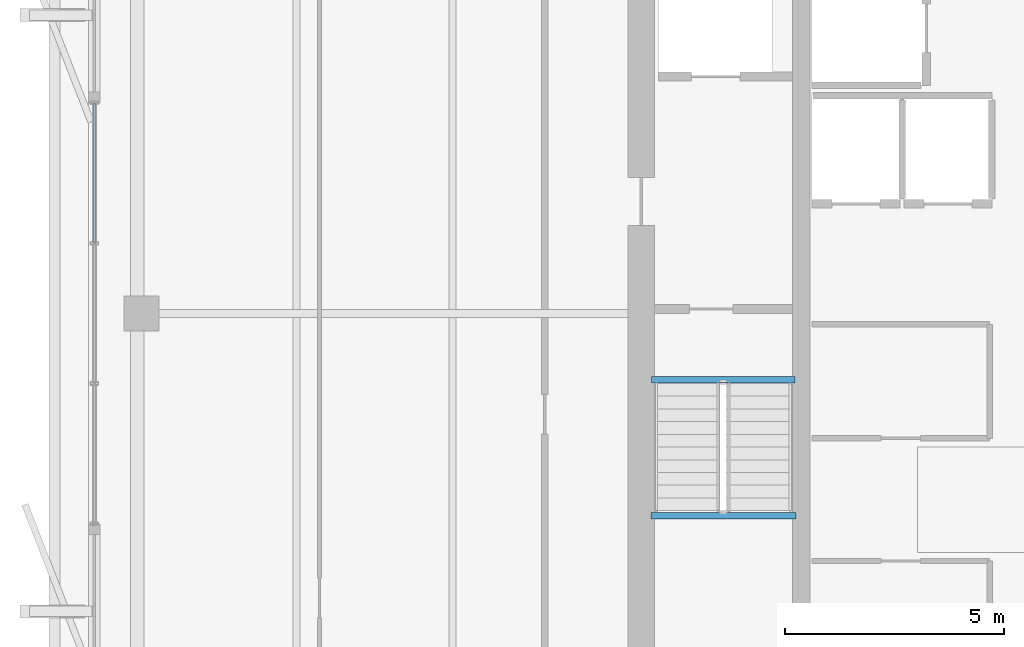
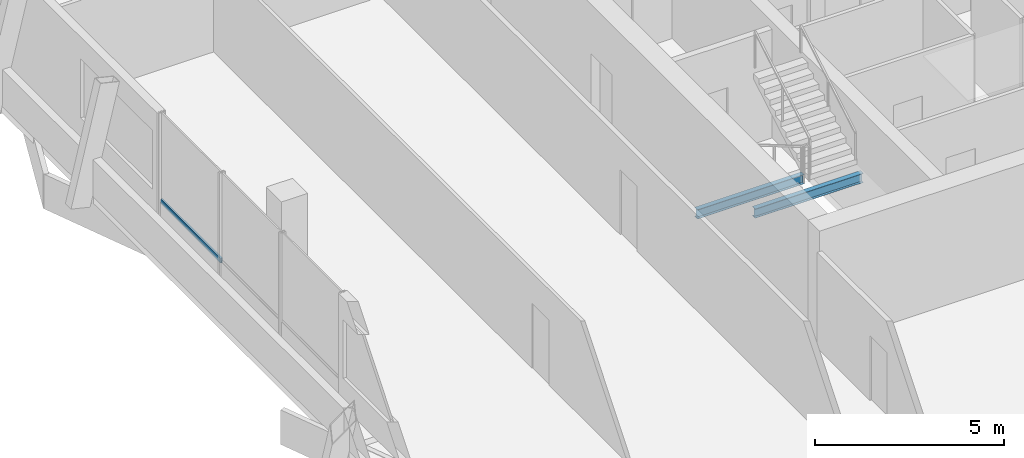
# One storey, part 6 of 18: 2 beams, 1 member, 1 element without a shape of its own.
"""IFC4 building model written with IfcOpenShell, lengths in metres."""

from ifc_helpers import new_model, si_unit, direction, frame, origin, origin_2d, place, context, subcontext, project, spatial, hollow_rectangle, i_section, extrude, material, layer, layer_set, material_profile, profile_set, type_object, element, aggregate, save


model = new_model("IFC4")

# Units and contexts
model_context = context("Model", 3, precision=1e-05, world=origin(), true_north=direction((0.0, 1.0)))
body_context = subcontext(model_context, "Body", "Model", "MODEL_VIEW")
ifc_project = project(units=[si_unit("LENGTHUNIT", "METRE"), si_unit("AREAUNIT", "SQUARE_METRE"), si_unit("VOLUMEUNIT", "CUBIC_METRE"), si_unit("PLANEANGLEUNIT", "RADIAN"), si_unit("MASSUNIT", "GRAM", prefix="KILO")], contexts=[model_context])

# Site, building, storey
site_placement = place(None, origin())
site = spatial("IfcSite", under=ifc_project, at=site_placement, CompositionType="ELEMENT")
building_placement = place(site_placement, origin())
building = spatial("IfcBuilding", under=site, at=building_placement, Name="Belovzor Exchange Tower", CompositionType="ELEMENT")
storey_placement = place(building_placement, frame((0.0, 0.0, 344.25)))
storey = spatial("IfcBuildingStorey", under=building, at=storey_placement, Name="L86", CompositionType="ELEMENT", Elevation=344.25)

# Beams
ifc_material_1 = material(Name="Steel S355", Category="steel")
ifc_material_profile_1 = material_profile(ifc_material_1, i_section(OverallWidth=0.14990234375, OverallDepth=0.300048828125, WebThickness=0.007080078125, FlangeThickness=0.0107421875, at=origin_2d()))
ifc_profile_set_1 = profile_set([ifc_material_profile_1], Name="Steel S355")
beam_type = type_object("IfcBeamType", Name="Secondary Trim Floor Joist IPE 300", PredefinedType="BEAM", material=ifc_profile_set_1)
beam_1_placement = place(storey_placement, frame((20.320068359375, 24.179931640625, 1.52490234375), z_axis=(1.0, 0.0, 0.0), x_axis=(0.0, 1.0, 0.0)))
element("IfcBeam", 1, at=beam_1_placement, inside=storey, type_object=beam_type, Name="FJ-300 Secondary Trim Floor Joist IPE 300", PredefinedType="BEAM", context=body_context, shape_type="SweptSolid", body=[
    extrude(i_section(OverallWidth=0.14990234375, OverallDepth=0.300048828125, WebThickness=0.007080078125, FlangeThickness=0.0107421875, at=origin_2d()), origin(), (0.0, 0.0, 1.0), 3.309814453125),
])
beam_2_placement = place(storey_placement, frame((20.340087890625, 27.280029296875, -0.389892578125), z_axis=(1.0, 0.0, 0.0), x_axis=(0.0, 1.0, 0.0)))
element("IfcBeam", 2, at=beam_2_placement, inside=storey, type_object=beam_type, Name="FJ-300 Secondary Trim Floor Joist IPE 300", PredefinedType="BEAM", context=body_context, shape_type="SweptSolid", body=[
    extrude(i_section(OverallWidth=0.14990234375, OverallDepth=0.300048828125, WebThickness=0.007080078125, FlangeThickness=0.0107421875, at=origin_2d()), origin(), (0.0, 0.0, 1.0), 3.27001953125),
])

# Curtain wall, member
ifc_material_2 = material(Name="Anodised Aluminium Framing", Category="aluminium")
ifc_layer = layer(ifc_material_2, 0.179931640625)
ifc_layer_set = layer_set([ifc_layer], Name="Anodised Aluminium Framing")
curtain_wall_type = type_object("IfcCurtainWallType", Name="Recessed Loggia Low-Iron Triple-Glazed Curtain Wall", PredefinedType="NOTDEFINED", material=ifc_layer_set)
curtain_wall_placement = place(storey_placement, origin())
curtain_wall = element("IfcCurtainWall", 3, at=curtain_wall_placement, inside=storey, type_object=curtain_wall_type, Name="CW3 Recessed Loggia Low-Iron Triple-Glazed Curtain Wall L86", PredefinedType="NOTDEFINED")
ifc_material_3 = material(Name="Steel S355", Category="steel")
ifc_material_profile_2 = material_profile(ifc_material_3, hollow_rectangle(XDim=0.06005859375, YDim=0.14990234375, WallThickness=0.00390625, at=origin_2d()))
ifc_profile_set_2 = profile_set([ifc_material_profile_2], Name="Steel S355")
member_type = type_object("IfcMemberType", Name="Thermally Broken Curtain Wall Transom 150x60", PredefinedType="USERDEFINED", material=ifc_profile_set_2)
member_placement = place(storey_placement, frame((7.6298828125, 30.407958984375, 0.632080078125), z_axis=(0.0, 1.0, 0.0), x_axis=(-1.0, 0.0, 0.0)))
member = element("IfcMember", 4, at=member_placement, type_object=member_type, Name="CW-T150 Curtain Wall Transom 3", ObjectType="TRANSOM", PredefinedType="USERDEFINED", context=body_context, shape_type="SweptSolid", body=[
    extrude(hollow_rectangle(XDim=0.06005859375, YDim=0.14990234375, WallThickness=0.00390625, at=origin_2d()), origin(), (0.0, 0.0, 1.0), 3.18408203125),
])
aggregate(curtain_wall, [member])

save(model, "model.ifc")
